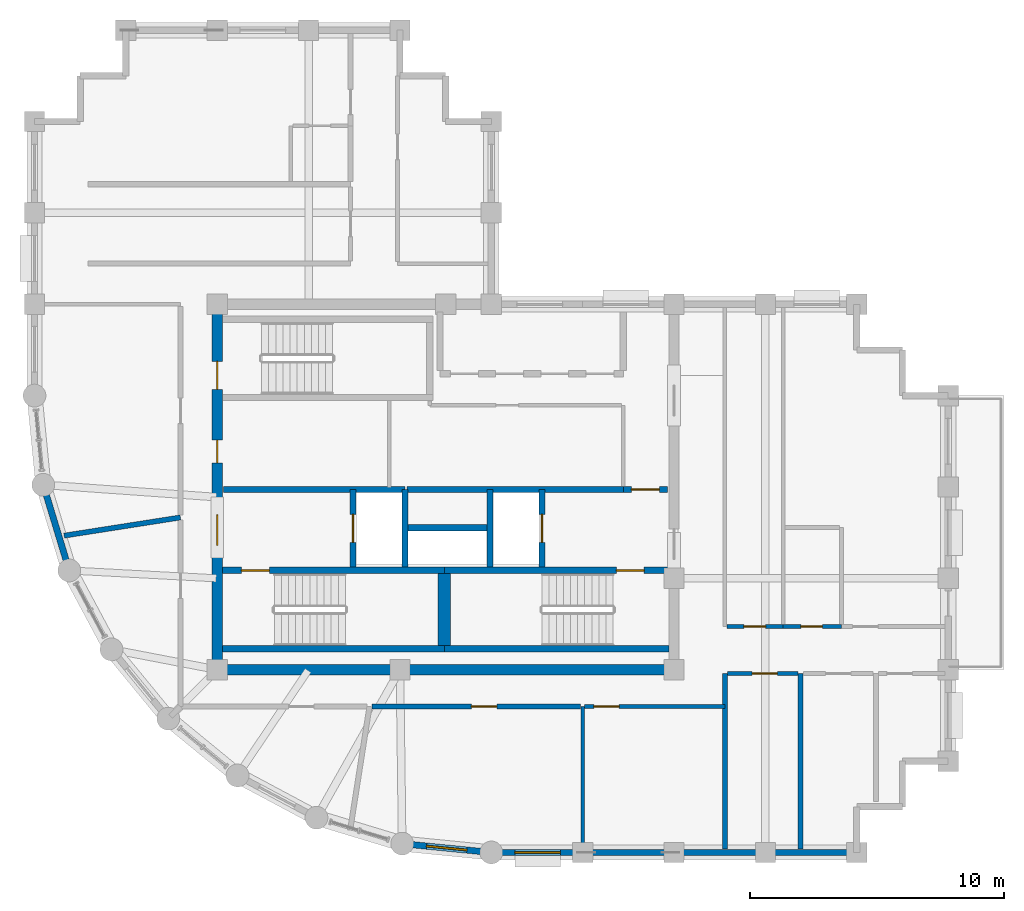
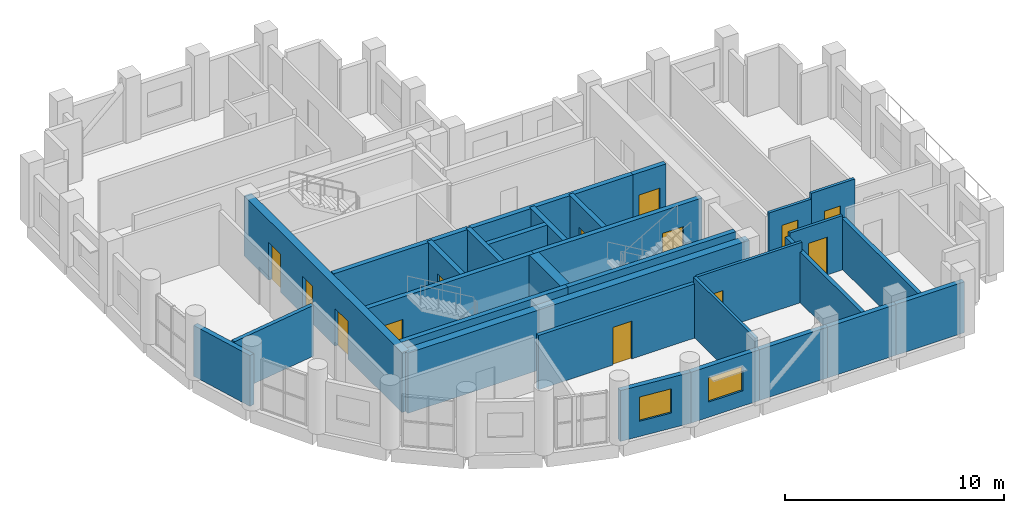
# One storey, part 7 of 12: 30 walls, 13 doors, 2 windows, 15 openings.
"""IFC4 building model written with IfcOpenShell, lengths in metres."""

from ifc_helpers import new_model, si_unit, direction, frame, frame_2d, origin, place, context, subcontext, project, spatial, rectangle, extrude, material, layer, layer_set, type_object, element, fill, save


model = new_model("IFC4")

# Units and contexts
model_context = context("Model", 3, precision=1e-05, world=origin(), true_north=direction((0.0, 1.0)))
body_context = subcontext(model_context, "Body", "Model", "MODEL_VIEW")
ifc_project = project(units=[si_unit("LENGTHUNIT", "METRE"), si_unit("AREAUNIT", "SQUARE_METRE"), si_unit("VOLUMEUNIT", "CUBIC_METRE"), si_unit("PLANEANGLEUNIT", "RADIAN"), si_unit("MASSUNIT", "GRAM", prefix="KILO")], contexts=[model_context])

# Site, building, storey
site_placement = place(None, origin())
site = spatial("IfcSite", under=ifc_project, at=site_placement, CompositionType="ELEMENT")
building_placement = place(site_placement, origin())
building = spatial("IfcBuilding", under=site, at=building_placement, Name="Solnavia Interchange Tower", CompositionType="ELEMENT")
storey_placement = place(building_placement, frame((0.0, 0.0, 228.199951171875)))
storey = spatial("IfcBuildingStorey", under=building, at=storey_placement, Name="L57", CompositionType="ELEMENT", Elevation=228.199951171875)

# Wall
ifc_material_1 = material(Name="Gypsum Acoustic Twin-Stud & Mineral Wool", Category="gypsum")
ifc_layer_1 = layer(ifc_material_1, 0.199951171875)
ifc_layer_set_1 = layer_set([ifc_layer_1], Name="Gypsum Acoustic Twin-Stud & Mineral Wool")
wall_type_1 = type_object("IfcWallType", Name="Wall-ApartmentParty-200", PredefinedType="PARTITIONING", material=ifc_layer_set_1)
wall_1_placement = place(storey_placement, frame((12.949951171875, 16.800048828125, 0.0), z_axis=(0.0, 0.0, 1.0), x_axis=(-0.9879733582, -0.154624200844, 0.0)))
element("IfcWall", 1, at=wall_1_placement, inside=storey, type_object=wall_type_1, Name="PTW-L57-09 Interior partition wall", PredefinedType="PARTITIONING", context=body_context, shape_type="SweptSolid", body=[
    extrude(rectangle(XDim=4.63720703125, YDim=0.199951171875, at=frame_2d((2.318603515625, 0.0))), origin(), (0.0, 0.0, 1.0), 2.830078125),
])

# Wall, opening, door
wall_2_placement = place(storey_placement, frame((20.50390625, 9.35009765625, 0.0), z_axis=(0.0, 0.0, 1.0), x_axis=(1.0, 0.0, 0.0)))
wall_2 = element("IfcWall", 2, at=wall_2_placement, inside=storey, type_object=wall_type_1, Name="PTW-L57-15 Interior partition wall", PredefinedType="PARTITIONING", context=body_context, shape_type="SweptSolid", body=[
    extrude(rectangle(XDim=8.217041015625, YDim=0.199951171875, at=frame_2d((4.1083984375, 0.0))), origin(), (0.0, 0.0, 1.0), 3.02001953125),
])
opening_1_placement = place(wall_2_placement, frame((3.9140625, 0.0, 0.0)))
opening_1 = element("IfcOpeningElement", 3, at=opening_1_placement, cuts=wall_2, Name="Opening DR-07", PredefinedType="OPENING", context=body_context, shape_type="SweptSolid", body=[
    extrude(rectangle(XDim=1.0, YDim=2.10009765625, at=frame_2d((0.5, 1.050048828125))), frame((0.0, 0.10986328125, 0.0), z_axis=(0.0, -1.0, 0.0), x_axis=(1.0, 0.0, 0.0)), (0.0, 0.0, 1.0), 0.219970703125),
])
ifc_material_2 = material(Name="Timber & Acoustic Glazed Office Door", Category="wood")
door_type_1 = type_object("IfcDoorType", Name="Door-Office-1000x2100", OperationType="SINGLE_SWING_RIGHT", PredefinedType="DOOR", material=ifc_material_2)
door_1_placement = place(opening_1_placement, origin())
door_1 = element("IfcDoor", 4, at=door_1_placement, inside=storey, type_object=door_type_1, Name="DR-L57-06 Interior room door", OperationType="SINGLE_SWING_RIGHT", OverallHeight=2.10009765625, OverallWidth=1.0, PredefinedType="DOOR", context=body_context, shape_type="SweptSolid", body=[
    extrude(rectangle(XDim=1.0, YDim=2.10009765625, at=frame_2d((0.5, 1.050048828125))), frame((0.0, 0.02490234375, 0.0), z_axis=(0.0, -1.0, 0.0), x_axis=(1.0, 0.0, 0.0)), (0.0, 0.0, 1.0), 0.050048828125),
])
fill(opening_1, door_1)

# Walls
for number, where, z_axis, x_axis, name in (
    (5, (34.39990234375, 3.72900390625, 0.0), (0.0, 0.0, 1.0), (0.0, 1.0, 0.0), "PTW-L57-17 Interior partition wall"),
    (6, (37.389892578125, 3.72900390625, 0.0), (0.0, 0.0, 1.0), (0.0, 1.0, 0.0), "PTW-L57-18 Interior partition wall"),
):
    element("IfcWall", number, at=place(storey_placement, frame(where, z_axis=z_axis, x_axis=x_axis)), inside=storey, type_object=wall_type_1, Name=name, PredefinedType="PARTITIONING", context=body_context, shape_type="SweptSolid", body=[
        extrude(rectangle(XDim=6.9208984375, YDim=0.199951171875, at=frame_2d((3.46044921875, 0.0))), origin(), (0.0, 0.0, 1.0), 2.830078125),
    ])

# Wall, opening, window
ifc_material_3 = material(Name="Concrete C40/50", Category="concrete")
ifc_layer_2 = layer(ifc_material_3, 0.25)
ifc_layer_set_2 = layer_set([ifc_layer_2], Name="Concrete C40/50")
wall_type_2 = type_object("IfcWallType", Name="Wall-ExtSpandrel-250", PredefinedType="STANDARD", material=ifc_layer_set_2)
wall_3_placement = place(storey_placement, frame((28.800048828125, 3.60009765625, 0.0), z_axis=(0.0, 0.0, 1.0), x_axis=(-1.0, 0.0, 0.0)))
wall_3 = element("IfcWall", 7, at=wall_3_placement, inside=storey, type_object=wall_type_2, Name="EXW-L57-01 Exterior precast spandrel wall", PredefinedType="STANDARD", context=body_context, shape_type="SweptSolid", body=[
    extrude(rectangle(XDim=3.60009765625, YDim=0.25, at=frame_2d((1.800048828125, 0.0))), origin(), (0.0, 0.0, 1.0), 2.830078125),
])
opening_2_placement = place(wall_3_placement, frame((0.875, 0.0, 0.85009765625)))
opening_2 = element("IfcOpeningElement", 8, at=opening_2_placement, cuts=wall_3, Name="Opening WIN-02", PredefinedType="OPENING", context=body_context, shape_type="SweptSolid", body=[
    extrude(rectangle(XDim=1.800048828125, YDim=1.35009765625, at=frame_2d((0.89990234375, 0.675048828125))), frame((0.0, 0.135009765625, 0.0), z_axis=(0.0, -1.0, 0.0), x_axis=(1.0, 0.0, 0.0)), (0.0, 0.0, 1.0), 0.27001953125),
])
ifc_material_4 = material(Name="Thermal-Break Aluminium & Low-E Glass", Category="aluminium")
window_type_1 = type_object("IfcWindowType", Name="Window-Ribbon-1800x1350", PartitioningType="SINGLE_PANEL", PredefinedType="WINDOW", material=ifc_material_4)
window_1_placement = place(opening_2_placement, origin())
window_1 = element("IfcWindow", 9, at=window_1_placement, inside=storey, type_object=window_type_1, Name="WIN-L57-01 Facade ribbon window", OverallHeight=1.35009765625, OverallWidth=1.800048828125, PartitioningType="SINGLE_PANEL", PredefinedType="WINDOW", context=body_context, shape_type="SweptSolid", body=[
    extrude(rectangle(XDim=1.800048828125, YDim=1.35009765625, at=frame_2d((0.89990234375, 0.675048828125))), frame((0.0, 0.030029296875, 0.0), z_axis=(0.0, -1.0, 0.0), x_axis=(1.0, 0.0, 0.0)), (0.0, 0.0, 1.0), 0.06005859375),
])
fill(opening_2, window_1)

# Walls
wall_4_placement = place(storey_placement, frame((32.39990234375, 3.60009765625, 0.0), z_axis=(0.0, 0.0, 1.0), x_axis=(-1.0, 0.0, 0.0)))
element("IfcWall", 10, at=wall_4_placement, inside=storey, type_object=wall_type_2, Name="EXW-L57-02 Exterior precast spandrel wall", PredefinedType="STANDARD", context=body_context, shape_type="SweptSolid", body=[
    extrude(rectangle(XDim=3.599853515625, YDim=0.25, at=frame_2d((1.7998046875, 0.0))), origin(), (0.0, 0.0, 1.0), 2.830078125),
])
for number, where, z_axis, x_axis, name in (
    (11, (36.0, 3.60009765625, 0.0), (0.0, 0.0, 1.0), (-1.0, 0.0, 0.0), "EXW-L57-03 Exterior precast spandrel wall"),
    (12, (39.60009765625, 3.60009765625, 0.0), (0.0, 0.0, 1.0), (-1.0, 0.0, 0.0), "EXW-L57-04 Exterior precast spandrel wall"),
):
    element("IfcWall", number, at=place(storey_placement, frame(where, z_axis=z_axis, x_axis=x_axis)), inside=storey, type_object=wall_type_2, Name=name, PredefinedType="STANDARD", context=body_context, shape_type="SweptSolid", body=[
        extrude(rectangle(XDim=3.60009765625, YDim=0.25, at=frame_2d((1.800048828125, 0.0))), origin(), (0.0, 0.0, 1.0), 2.830078125),
    ])
wall_5_placement = place(storey_placement, frame((8.570068359375, 14.7119140625, 0.0), z_axis=(0.0, 0.0, 1.0), x_axis=(-0.290305086481, 0.956934144423, 0.0)))
element("IfcWall", 13, at=wall_5_placement, inside=storey, type_object=wall_type_2, Name="EXW-L57-38 Exterior precast spandrel wall", PredefinedType="STANDARD", context=body_context, shape_type="SweptSolid", body=[
    extrude(rectangle(XDim=3.52783203125, YDim=0.25, at=frame_2d((1.763916015625, 0.0))), origin(), (0.0, 0.0, 1.0), 2.830078125),
])

# Wall, opening, window
wall_6_placement = place(storey_placement, frame((25.199951171875, 3.60009765625, 0.0), z_axis=(0.0, 0.0, 1.0), x_axis=(-0.995183369056, 0.098030923459, 0.0)))
wall_6 = element("IfcWall", 14, at=wall_6_placement, inside=storey, type_object=wall_type_2, Name="EXW-L57-44 Exterior precast spandrel wall", PredefinedType="STANDARD", context=body_context, shape_type="SweptSolid", body=[
    extrude(rectangle(XDim=3.529052734375, YDim=0.25, at=frame_2d((1.7646484375, 0.0))), origin(), (0.0, 0.0, 1.0), 2.830078125),
])
opening_3_placement = place(wall_6_placement, frame((0.965087890625, 0.0, 0.85009765625)))
opening_3 = element("IfcOpeningElement", 15, at=opening_3_placement, cuts=wall_6, Name="Opening WIN-04", PredefinedType="OPENING", context=body_context, shape_type="SweptSolid", body=[
    extrude(rectangle(XDim=1.60009765625, YDim=1.35009765625, at=frame_2d((0.800048828125, 0.675048828125))), frame((0.0, 0.135009765625, 0.0), z_axis=(0.0, -1.0, 0.0), x_axis=(1.0, 0.0, 0.0)), (0.0, 0.0, 1.0), 0.27001953125),
])
window_type_2 = type_object("IfcWindowType", Name="Window-Drum-1600x1350", PartitioningType="SINGLE_PANEL", PredefinedType="WINDOW", material=ifc_material_4)
window_2_placement = place(opening_3_placement, origin())
window_2 = element("IfcWindow", 16, at=window_2_placement, inside=storey, type_object=window_type_2, Name="WIN-L57-44 Facade ribbon window", OverallHeight=1.35009765625, OverallWidth=1.60009765625, PartitioningType="SINGLE_PANEL", PredefinedType="WINDOW", context=body_context, shape_type="SweptSolid", body=[
    extrude(rectangle(XDim=1.60009765625, YDim=1.35009765625, at=frame_2d((0.800048828125, 0.675048828125))), frame((0.0, 0.030029296875, 0.0), z_axis=(0.0, -1.0, 0.0), x_axis=(1.0, 0.0, 0.0)), (0.0, 0.0, 1.0), 0.06005859375),
])
fill(opening_3, window_2)

# Wall
ifc_material_5 = material(Name="Gypsum Plasterboard & Steel Stud", Category="steel")
ifc_layer_3 = layer(ifc_material_5, 0.14990234375)
ifc_layer_set_3 = layer_set([ifc_layer_3], Name="Gypsum Plasterboard & Steel Stud")
wall_type_3 = type_object("IfcWallType", Name="Wall-Partition-150", PredefinedType="PARTITIONING", material=ifc_layer_set_3)
wall_7_placement = place(storey_placement, frame((28.800048828125, 9.35009765625, 0.0), z_axis=(0.0, 0.0, 1.0), x_axis=(0.0, -1.0, 0.0)))
element("IfcWall", 17, at=wall_7_placement, inside=storey, type_object=wall_type_3, Name="PTW-L57-08 Interior partition wall", PredefinedType="PARTITIONING", context=body_context, shape_type="SweptSolid", body=[
    extrude(rectangle(XDim=5.62109375, YDim=0.14990234375, at=frame_2d((2.810546875, 0.0))), origin(), (0.0, 0.0, 1.0), 3.3349609375),
])

# Wall, opening, door
wall_8_placement = place(storey_placement, frame((28.87890625, 9.35009765625, 0.0), z_axis=(0.0, 0.0, 1.0), x_axis=(1.0, 0.0, 0.0)))
wall_8 = element("IfcWall", 18, at=wall_8_placement, inside=storey, type_object=wall_type_3, Name="PTW-L57-16 Interior partition wall", PredefinedType="PARTITIONING", context=body_context, shape_type="SweptSolid", body=[
    extrude(rectangle(XDim=5.52099609375, YDim=0.14990234375, at=frame_2d((2.760498046875, 0.0))), origin(), (0.0, 0.0, 1.0), 3.3349609375),
])
opening_4_placement = place(wall_8_placement, frame((0.360107421875, 0.0, 0.0)))
opening_4 = element("IfcOpeningElement", 19, at=opening_4_placement, cuts=wall_8, Name="Opening DR-07", PredefinedType="OPENING", context=body_context, shape_type="SweptSolid", body=[
    extrude(rectangle(XDim=1.0, YDim=2.10009765625, at=frame_2d((0.5, 1.050048828125))), frame((0.0, 0.0849609375, 0.0), z_axis=(0.0, -1.0, 0.0), x_axis=(1.0, 0.0, 0.0)), (0.0, 0.0, 1.0), 0.169921875),
])
door_2_placement = place(opening_4_placement, origin())
door_2 = element("IfcDoor", 20, at=door_2_placement, inside=storey, type_object=door_type_1, Name="DR-L57-07 Interior room door", OperationType="SINGLE_SWING_LEFT", OverallHeight=2.10009765625, OverallWidth=1.0, PredefinedType="DOOR", context=body_context, shape_type="SweptSolid", body=[
    extrude(rectangle(XDim=1.0, YDim=2.10009765625, at=frame_2d((0.5, 1.050048828125))), frame((0.0, 0.02490234375, 0.0), z_axis=(0.0, -1.0, 0.0), x_axis=(1.0, 0.0, 0.0)), (0.0, 0.0, 1.0), 0.050048828125),
])
fill(opening_4, door_2)

wall_9_placement = place(storey_placement, frame((34.50390625, 10.64990234375, 0.0), z_axis=(0.0, 0.0, 1.0), x_axis=(1.0, 0.0, 0.0)))
wall_9 = element("IfcWall", 21, at=wall_9_placement, inside=storey, type_object=wall_type_3, Name="PTW-L57-19 Interior partition wall", PredefinedType="PARTITIONING", context=body_context, shape_type="SweptSolid", body=[
    extrude(rectangle(XDim=2.781982421875, YDim=0.14990234375, at=frame_2d((1.39111328125, 0.0))), origin(), (0.0, 0.0, 1.0), 3.02001953125),
])
opening_5_placement = place(wall_9_placement, frame((0.969970703125, 0.0, 0.0)))
opening_5 = element("IfcOpeningElement", 22, at=opening_5_placement, cuts=wall_9, Name="Opening DR-07", PredefinedType="OPENING", context=body_context, shape_type="SweptSolid", body=[
    extrude(rectangle(XDim=1.0, YDim=2.10009765625, at=frame_2d((0.5, 1.050048828125))), frame((0.0, 0.0849609375, 0.0), z_axis=(0.0, -1.0, 0.0), x_axis=(1.0, 0.0, 0.0)), (0.0, 0.0, 1.0), 0.169921875),
])
door_3_placement = place(opening_5_placement, origin())
door_3 = element("IfcDoor", 23, at=door_3_placement, inside=storey, type_object=door_type_1, Name="DR-L57-08 Interior room door", OperationType="SINGLE_SWING_LEFT", OverallHeight=2.10009765625, OverallWidth=1.0, PredefinedType="DOOR", context=body_context, shape_type="SweptSolid", body=[
    extrude(rectangle(XDim=1.0, YDim=2.10009765625, at=frame_2d((0.5, 1.050048828125))), frame((0.0, 0.02490234375, 0.0), z_axis=(0.0, -1.0, 0.0), x_axis=(1.0, 0.0, 0.0)), (0.0, 0.0, 1.0), 0.050048828125),
])
fill(opening_5, door_3)

# Wall
ifc_layer_4 = layer(ifc_material_3, 0.25)
ifc_layer_set_4 = layer_set([ifc_layer_4], Name="Concrete C40/50")
wall_type_4 = type_object("IfcWallType", Name="Wall-ShaftCore-250", PredefinedType="SHEAR", material=ifc_layer_set_4)
wall_10_placement = place(storey_placement, frame((14.60009765625, 11.625, 0.0), z_axis=(0.0, 0.0, 1.0), x_axis=(1.0, 0.0, 0.0)))
element("IfcWall", 24, at=wall_10_placement, inside=storey, type_object=wall_type_4, Name="SHW-L57-ST1S Core shear wall", PredefinedType="SHEAR", context=body_context, shape_type="SweptSolid", body=[
    extrude(rectangle(XDim=8.75, YDim=0.25, at=frame_2d((4.375, 0.0))), origin(), (0.0, 0.0, 1.0), 3.35009765625),
])

# Wall, opening, door
wall_11_placement = place(storey_placement, frame((14.60009765625, 14.715087890625, 0.0), z_axis=(0.0, 0.0, 1.0), x_axis=(1.0, 0.0, 0.0)))
wall_11 = element("IfcWall", 25, at=wall_11_placement, inside=storey, type_object=wall_type_4, Name="SHW-L57-ST1N Core shear wall", PredefinedType="SHEAR", context=body_context, shape_type="SweptSolid", body=[
    extrude(rectangle(XDim=8.75, YDim=0.25, at=frame_2d((4.375, 0.0))), origin(), (0.0, 0.0, 1.0), 3.35009765625),
])
opening_6_placement = place(wall_11_placement, frame((0.7548828125, 0.0, 0.0)))
opening_6 = element("IfcOpeningElement", 26, at=opening_6_placement, cuts=wall_11, Name="Opening DR-01", PredefinedType="OPENING", context=body_context, shape_type="SweptSolid", body=[
    extrude(rectangle(XDim=1.10009765625, YDim=2.10009765625, at=frame_2d((0.550048828125, 1.050048828125))), frame((0.0, 0.135009765625, 0.0), z_axis=(0.0, -1.0, 0.0), x_axis=(1.0, 0.0, 0.0)), (0.0, 0.0, 1.0), 0.27001953125),
])
ifc_material_6 = material(Name="Steel Fire-Rated Leaf & Frame", Category="steel")
door_type_2 = type_object("IfcDoorType", Name="Door-StairFire-1100x2100", OperationType="SINGLE_SWING_LEFT", PredefinedType="DOOR", material=ifc_material_6)
door_4_placement = place(opening_6_placement, origin())
door_4 = element("IfcDoor", 27, at=door_4_placement, inside=storey, type_object=door_type_2, Name="DR-L57-ST1 Core fire door", OperationType="SINGLE_SWING_LEFT", OverallHeight=2.10009765625, OverallWidth=1.10009765625, PredefinedType="DOOR", context=body_context, shape_type="SweptSolid", body=[
    extrude(rectangle(XDim=1.10009765625, YDim=2.10009765625, at=frame_2d((0.550048828125, 1.050048828125))), frame((0.0, 0.02490234375, 0.0), z_axis=(0.0, -1.0, 0.0), x_axis=(1.0, 0.0, 0.0)), (0.0, 0.0, 1.0), 0.050048828125),
])
fill(opening_6, door_4)

# Wall
wall_12_placement = place(storey_placement, frame((23.35009765625, 11.625, 0.0), z_axis=(0.0, 0.0, 1.0), x_axis=(1.0, 0.0, 0.0)))
element("IfcWall", 28, at=wall_12_placement, inside=storey, type_object=wall_type_4, Name="SHW-L57-ST2S Core shear wall", PredefinedType="SHEAR", context=body_context, shape_type="SweptSolid", body=[
    extrude(rectangle(XDim=8.849853515625, YDim=0.25, at=frame_2d((4.4248046875, 0.0))), origin(), (0.0, 0.0, 1.0), 3.35009765625),
])

# Wall, opening, door
wall_13_placement = place(storey_placement, frame((23.35009765625, 14.715087890625, 0.0), z_axis=(0.0, 0.0, 1.0), x_axis=(1.0, 0.0, 0.0)))
wall_13 = element("IfcWall", 29, at=wall_13_placement, inside=storey, type_object=wall_type_4, Name="SHW-L57-ST2N Core shear wall", PredefinedType="SHEAR", context=body_context, shape_type="SweptSolid", body=[
    extrude(rectangle(XDim=8.849853515625, YDim=0.25, at=frame_2d((4.4248046875, 0.0))), origin(), (0.0, 0.0, 1.0), 3.35009765625),
])
opening_7_placement = place(wall_13_placement, frame((6.77490234375, 0.0, 0.0)))
opening_7 = element("IfcOpeningElement", 30, at=opening_7_placement, cuts=wall_13, Name="Opening DR-01", PredefinedType="OPENING", context=body_context, shape_type="SweptSolid", body=[
    extrude(rectangle(XDim=1.10009765625, YDim=2.10009765625, at=frame_2d((0.550048828125, 1.050048828125))), frame((0.0, 0.135009765625, 0.0), z_axis=(0.0, -1.0, 0.0), x_axis=(1.0, 0.0, 0.0)), (0.0, 0.0, 1.0), 0.27001953125),
])
door_5_placement = place(opening_7_placement, origin())
door_5 = element("IfcDoor", 31, at=door_5_placement, inside=storey, type_object=door_type_2, Name="DR-L57-ST2 Core fire door", OperationType="SINGLE_SWING_LEFT", OverallHeight=2.10009765625, OverallWidth=1.10009765625, PredefinedType="DOOR", context=body_context, shape_type="SweptSolid", body=[
    extrude(rectangle(XDim=1.10009765625, YDim=2.10009765625, at=frame_2d((0.550048828125, 1.050048828125))), frame((0.0, 0.02490234375, 0.0), z_axis=(0.0, -1.0, 0.0), x_axis=(1.0, 0.0, 0.0)), (0.0, 0.0, 1.0), 0.050048828125),
])
fill(opening_7, door_5)

# Wall
ifc_layer_5 = layer(ifc_material_3, 0.25)
ifc_layer_set_5 = layer_set([ifc_layer_5], Name="Concrete C40/50")
wall_type_5 = type_object("IfcWallType", Name="Wall-ShaftPart-250", PredefinedType="PARTITIONING", material=ifc_layer_set_5)
wall_14_placement = place(storey_placement, frame((14.64990234375, 17.89990234375, 0.0), z_axis=(0.0, 0.0, 1.0), x_axis=(1.0, 0.0, 0.0)))
element("IfcWall", 32, at=wall_14_placement, inside=storey, type_object=wall_type_5, Name="SHW-L57-FFLW-N Core shaft wall", PredefinedType="PARTITIONING", context=body_context, shape_type="SweptSolid", body=[
    extrude(rectangle(XDim=7.150146484375, YDim=0.25, at=frame_2d((3.5751953125, 0.0))), origin(), (0.0, 0.0, 1.0), 3.3349609375),
])

# Wall, opening, door
wall_15_placement = place(storey_placement, frame((19.75, 14.840087890625, 0.0), z_axis=(0.0, 0.0, 1.0), x_axis=(0.0, 1.0, 0.0)))
wall_15 = element("IfcWall", 33, at=wall_15_placement, inside=storey, type_object=wall_type_5, Name="SHW-L57-FFL1-W Core shaft wall", PredefinedType="PARTITIONING", context=body_context, shape_type="SweptSolid", body=[
    extrude(rectangle(XDim=3.059814453125, YDim=0.25, at=frame_2d((1.52978515625, 0.0))), origin(), (0.0, 0.0, 1.0), 3.3349609375),
])
opening_8_placement = place(wall_15_placement, frame((0.97998046875, 0.0, 0.0)))
opening_8 = element("IfcOpeningElement", 34, at=opening_8_placement, cuts=wall_15, Name="Opening LD-01", PredefinedType="OPENING", context=body_context, shape_type="SweptSolid", body=[
    extrude(rectangle(XDim=1.10009765625, YDim=2.10009765625, at=frame_2d((0.550048828125, 1.050048828125))), frame((0.0, 0.135009765625, 0.0), z_axis=(0.0, -1.0, 0.0), x_axis=(1.0, 0.0, 0.0)), (0.0, 0.0, 1.0), 0.27001953125),
])
ifc_material_7 = material(Name="Brushed Stainless Steel Sliding Door", Category="steel")
door_type_3 = type_object("IfcDoorType", Name="Door-LiftLanding-1100x2100", OperationType="SLIDING_TO_LEFT", PredefinedType="DOOR", material=ifc_material_7)
door_6_placement = place(opening_8_placement, origin())
door_6 = element("IfcDoor", 35, at=door_6_placement, inside=storey, type_object=door_type_3, Name="LD-L57-FFL1 Lift landing sliding door", OperationType="SLIDING_TO_LEFT", OverallHeight=2.10009765625, OverallWidth=1.10009765625, PredefinedType="DOOR", context=body_context, shape_type="SweptSolid", body=[
    extrude(rectangle(XDim=1.10009765625, YDim=2.10009765625, at=frame_2d((0.550048828125, 1.050048828125))), frame((0.0, 0.02490234375, 0.0), z_axis=(0.0, -1.0, 0.0), x_axis=(1.0, 0.0, 0.0)), (0.0, 0.0, 1.0), 0.050048828125),
])
fill(opening_8, door_6)

# Walls
wall_16_placement = place(storey_placement, frame((21.800048828125, 14.840087890625, 0.0), z_axis=(0.0, 0.0, 1.0), x_axis=(0.0, 1.0, 0.0)))
element("IfcWall", 36, at=wall_16_placement, inside=storey, type_object=wall_type_5, Name="SHW-L57-FFL1-E Core shaft wall", PredefinedType="PARTITIONING", context=body_context, shape_type="SweptSolid", body=[
    extrude(rectangle(XDim=3.059814453125, YDim=0.25, at=frame_2d((1.52978515625, 0.0))), origin(), (0.0, 0.0, 1.0), 3.3349609375),
])
wall_17_placement = place(storey_placement, frame((21.8798828125, 17.89990234375, 0.0), z_axis=(0.0, 0.0, 1.0), x_axis=(1.0, 0.0, 0.0)))
element("IfcWall", 37, at=wall_17_placement, inside=storey, type_object=wall_type_5, Name="SHW-L57-FFLE-N1 Core shaft wall", PredefinedType="PARTITIONING", context=body_context, shape_type="SweptSolid", body=[
    extrude(rectangle(XDim=8.52001953125, YDim=0.25, at=frame_2d((4.260009765625, 0.0))), origin(), (0.0, 0.0, 1.0), 3.3349609375),
])

# Wall, opening, door
wall_18_placement = place(storey_placement, frame((30.39990234375, 17.89990234375, 0.0), z_axis=(0.0, 0.0, 1.0), x_axis=(1.0, 0.0, 0.0)))
wall_18 = element("IfcWall", 38, at=wall_18_placement, inside=storey, type_object=wall_type_5, Name="SHW-L57-FFLE-N2 Core shaft wall", PredefinedType="PARTITIONING", context=body_context, shape_type="SweptSolid", body=[
    extrude(rectangle(XDim=1.75, YDim=0.25, at=frame_2d((0.875, 0.0))), origin(), (0.0, 0.0, 1.0), 3.3349609375),
])
opening_9_placement = place(wall_18_placement, frame((0.320068359375, 0.0, 0.0)))
opening_9 = element("IfcOpeningElement", 39, at=opening_9_placement, cuts=wall_18, Name="Opening DR-01", PredefinedType="OPENING", context=body_context, shape_type="SweptSolid", body=[
    extrude(rectangle(XDim=1.10009765625, YDim=2.10009765625, at=frame_2d((0.550048828125, 1.050048828125))), frame((0.0, 0.135009765625, 0.0), z_axis=(0.0, -1.0, 0.0), x_axis=(1.0, 0.0, 0.0)), (0.0, 0.0, 1.0), 0.27001953125),
])
door_7_placement = place(opening_9_placement, origin())
door_7 = element("IfcDoor", 40, at=door_7_placement, inside=storey, type_object=door_type_2, Name="DR-L57-LLC Core fire door", OperationType="SINGLE_SWING_LEFT", OverallHeight=2.10009765625, OverallWidth=1.10009765625, PredefinedType="DOOR", context=body_context, shape_type="SweptSolid", body=[
    extrude(rectangle(XDim=1.10009765625, YDim=2.10009765625, at=frame_2d((0.550048828125, 1.050048828125))), frame((0.0, 0.02490234375, 0.0), z_axis=(0.0, -1.0, 0.0), x_axis=(1.0, 0.0, 0.0)), (0.0, 0.0, 1.0), 0.050048828125),
])
fill(opening_9, door_7)

# Wall
wall_19_placement = place(storey_placement, frame((25.14990234375, 14.840087890625, 0.0), z_axis=(0.0, 0.0, 1.0), x_axis=(0.0, 1.0, 0.0)))
element("IfcWall", 41, at=wall_19_placement, inside=storey, type_object=wall_type_5, Name="SHW-L57-FFL2-W Core shaft wall", PredefinedType="PARTITIONING", context=body_context, shape_type="SweptSolid", body=[
    extrude(rectangle(XDim=3.059814453125, YDim=0.25, at=frame_2d((1.52978515625, 0.0))), origin(), (0.0, 0.0, 1.0), 3.3349609375),
])

# Wall, opening, door
wall_20_placement = place(storey_placement, frame((27.199951171875, 14.840087890625, 0.0), z_axis=(0.0, 0.0, 1.0), x_axis=(0.0, 1.0, 0.0)))
wall_20 = element("IfcWall", 42, at=wall_20_placement, inside=storey, type_object=wall_type_5, Name="SHW-L57-FFL2-E Core shaft wall", PredefinedType="PARTITIONING", context=body_context, shape_type="SweptSolid", body=[
    extrude(rectangle(XDim=3.059814453125, YDim=0.25, at=frame_2d((1.52978515625, 0.0))), origin(), (0.0, 0.0, 1.0), 3.3349609375),
])
opening_10_placement = place(wall_20_placement, frame((0.97998046875, 0.0, 0.0)))
opening_10 = element("IfcOpeningElement", 43, at=opening_10_placement, cuts=wall_20, Name="Opening LD-01", PredefinedType="OPENING", context=body_context, shape_type="SweptSolid", body=[
    extrude(rectangle(XDim=1.10009765625, YDim=2.10009765625, at=frame_2d((0.550048828125, 1.050048828125))), frame((0.0, 0.135009765625, 0.0), z_axis=(0.0, -1.0, 0.0), x_axis=(1.0, 0.0, 0.0)), (0.0, 0.0, 1.0), 0.27001953125),
])
door_8_placement = place(opening_10_placement, origin())
door_8 = element("IfcDoor", 44, at=door_8_placement, inside=storey, type_object=door_type_3, Name="LD-L57-FFL2 Lift landing sliding door", OperationType="SLIDING_TO_LEFT", OverallHeight=2.10009765625, OverallWidth=1.10009765625, PredefinedType="DOOR", context=body_context, shape_type="SweptSolid", body=[
    extrude(rectangle(XDim=1.10009765625, YDim=2.10009765625, at=frame_2d((0.550048828125, 1.050048828125))), frame((0.0, 0.02490234375, 0.0), z_axis=(0.0, -1.0, 0.0), x_axis=(1.0, 0.0, 0.0)), (0.0, 0.0, 1.0), 0.050048828125),
])
fill(opening_10, door_8)

# Walls
wall_21_placement = place(storey_placement, frame((21.800048828125, 16.39990234375, 0.0), z_axis=(0.0, 0.0, 1.0), x_axis=(1.0, 0.0, 0.0)))
element("IfcWall", 45, at=wall_21_placement, inside=storey, type_object=wall_type_5, Name="SHW-L57-MEP-N Core shaft wall", PredefinedType="PARTITIONING", context=body_context, shape_type="SweptSolid", body=[
    extrude(rectangle(XDim=3.349853515625, YDim=0.25, at=frame_2d((1.6748046875, 0.0))), origin(), (0.0, 0.0, 1.0), 3.3349609375),
])
ifc_material_8 = material(Name="Concrete C50/60", Category="concrete")
ifc_layer_6 = layer(ifc_material_8, 0.39990234375)
ifc_layer_set_6 = layer_set([ifc_layer_6], Name="Concrete C50/60")
wall_type_6 = type_object("IfcWallType", Name="Wall-ShearCore-400", PredefinedType="SHEAR", material=ifc_layer_set_6)
wall_22_placement = place(storey_placement, frame((14.39990234375, 10.800048828125, 0.0), z_axis=(0.0, 0.0, 1.0), x_axis=(1.0, 0.0, 0.0)))
element("IfcWall", 46, at=wall_22_placement, inside=storey, type_object=wall_type_6, Name="CRW-L57-S Core shear wall", PredefinedType="SHEAR", context=body_context, shape_type="SweptSolid", body=[
    extrude(rectangle(XDim=18.0, YDim=0.39990234375, at=frame_2d((9.0, 0.0))), origin(), (0.0, 0.0, 1.0), 3.35009765625),
])

# Wall, openings, doors
wall_23_placement = place(storey_placement, frame((14.39990234375, 10.800048828125, 0.0), z_axis=(0.0, 0.0, 1.0), x_axis=(0.0, 1.0, 0.0)))
wall_23 = element("IfcWall", 47, at=wall_23_placement, inside=storey, type_object=wall_type_6, Name="CRW-L57-W Core shear wall", PredefinedType="SHEAR", context=body_context, shape_type="SweptSolid", body=[
    extrude(rectangle(XDim=14.39990234375, YDim=0.39990234375, at=frame_2d((7.199951171875, 0.0))), origin(), (0.0, 0.0, 1.0), 3.35009765625),
])
opening_11_placement = place(wall_23_placement, frame((11.050048828125, 0.0, 0.0)))
opening_11 = element("IfcOpeningElement", 48, at=opening_11_placement, cuts=wall_23, Name="Opening DR-01", PredefinedType="OPENING", context=body_context, shape_type="SweptSolid", body=[
    extrude(rectangle(XDim=1.10009765625, YDim=2.10009765625, at=frame_2d((0.550048828125, 1.050048828125))), frame((0.0, 0.2099609375, 0.0), z_axis=(0.0, -1.0, 0.0), x_axis=(1.0, 0.0, 0.0)), (0.0, 0.0, 1.0), 0.419921875),
])
opening_12_placement = place(wall_23_placement, frame((4.89990234375, 0.0, 0.0)))
opening_12 = element("IfcOpeningElement", 49, at=opening_12_placement, cuts=wall_23, Name="Opening DR-02", PredefinedType="OPENING", context=body_context, shape_type="SweptSolid", body=[
    extrude(rectangle(XDim=1.199951171875, YDim=2.10009765625, at=frame_2d((0.60009765625, 1.050048828125))), frame((0.0, 0.2099609375, 0.0), z_axis=(0.0, -1.0, 0.0), x_axis=(1.0, 0.0, 0.0)), (0.0, 0.0, 1.0), 0.419921875),
])
opening_13_placement = place(wall_23_placement, frame((8.14990234375, 0.0, 0.0)))
opening_13 = element("IfcOpeningElement", 50, at=opening_13_placement, cuts=wall_23, Name="Opening DR-09", PredefinedType="OPENING", context=body_context, shape_type="SweptSolid", body=[
    extrude(rectangle(XDim=0.89990234375, YDim=2.10009765625, at=frame_2d((0.449951171875, 1.050048828125))), frame((0.0, 0.2099609375, 0.0), z_axis=(0.0, -1.0, 0.0), x_axis=(1.0, 0.0, 0.0)), (0.0, 0.0, 1.0), 0.419921875),
])
ifc_material_9 = material(Name="Engineered Oak Veneer Door", Category="wood")
door_type_4 = type_object("IfcDoorType", Name="Door-Internal-900x2100", OperationType="SINGLE_SWING_LEFT", PredefinedType="DOOR", material=ifc_material_9)
door_9_placement = place(opening_13_placement, origin())
door_9 = element("IfcDoor", 51, at=door_9_placement, inside=storey, type_object=door_type_4, Name="DR-L57-CS1 Core fire door", OperationType="SINGLE_SWING_RIGHT", OverallHeight=2.10009765625, OverallWidth=0.89990234375, PredefinedType="DOOR", context=body_context, shape_type="SweptSolid", body=[
    extrude(rectangle(XDim=0.89990234375, YDim=2.10009765625, at=frame_2d((0.449951171875, 1.050048828125))), frame((0.0, 0.02490234375, 0.0), z_axis=(0.0, -1.0, 0.0), x_axis=(1.0, 0.0, 0.0)), (0.0, 0.0, 1.0), 0.050048828125),
])
fill(opening_13, door_9)
ifc_material_10 = material(Name="Steel Fire-Rated Vision-Panel Door", Category="steel")
door_type_5 = type_object("IfcDoorType", Name="Door-LobbyFire-1200x2100", OperationType="SINGLE_SWING_RIGHT", PredefinedType="DOOR", material=ifc_material_10)
door_10_placement = place(opening_12_placement, origin())
door_10 = element("IfcDoor", 52, at=door_10_placement, inside=storey, type_object=door_type_5, Name="DR-L57-FFL1W Core fire door", OperationType="SINGLE_SWING_RIGHT", OverallHeight=2.10009765625, OverallWidth=1.199951171875, PredefinedType="DOOR", context=body_context, shape_type="SweptSolid", body=[
    extrude(rectangle(XDim=1.199951171875, YDim=2.10009765625, at=frame_2d((0.60009765625, 1.050048828125))), frame((0.0, 0.02490234375, 0.0), z_axis=(0.0, -1.0, 0.0), x_axis=(1.0, 0.0, 0.0)), (0.0, 0.0, 1.0), 0.050048828125),
])
fill(opening_12, door_10)
door_11_placement = place(opening_11_placement, origin())
door_11 = element("IfcDoor", 53, at=door_11_placement, inside=storey, type_object=door_type_2, Name="DR-L57-ST3 Core fire door", OperationType="SINGLE_SWING_RIGHT", OverallHeight=2.10009765625, OverallWidth=1.10009765625, PredefinedType="DOOR", context=body_context, shape_type="SweptSolid", body=[
    extrude(rectangle(XDim=1.10009765625, YDim=2.10009765625, at=frame_2d((0.550048828125, 1.050048828125))), frame((0.0, 0.02490234375, 0.0), z_axis=(0.0, -1.0, 0.0), x_axis=(1.0, 0.0, 0.0)), (0.0, 0.0, 1.0), 0.050048828125),
])
fill(opening_11, door_11)

# Wall
ifc_material_11 = material(Name="Concrete C60/75", Category="concrete")
ifc_layer_7 = layer(ifc_material_11, 0.5)
ifc_layer_set_7 = layer_set([ifc_layer_7], Name="Concrete C60/75")
wall_type_7 = type_object("IfcWallType", Name="Wall-ShearCore-500", PredefinedType="SHEAR", material=ifc_layer_set_7)
wall_24_placement = place(storey_placement, frame((23.35009765625, 11.75, 0.0), z_axis=(0.0, 0.0, 1.0), x_axis=(0.0, 1.0, 0.0)))
element("IfcWall", 54, at=wall_24_placement, inside=storey, type_object=wall_type_7, Name="SHW-L57-ST12M Core shear wall", PredefinedType="SHEAR", context=body_context, shape_type="SweptSolid", body=[
    extrude(rectangle(XDim=2.840087890625, YDim=0.5, at=frame_2d((1.419921875, 0.0))), origin(), (0.0, 0.0, 1.0), 3.35009765625),
])

# Wall, opening, door
ifc_material_12 = material(Name="Moisture-Resistant Gypsum & Steel Stud", Category="steel")
ifc_layer_8 = layer(ifc_material_12, 0.14990234375)
ifc_layer_set_8 = layer_set([ifc_layer_8], Name="Moisture-Resistant Gypsum & Steel Stud")
wall_type_8 = type_object("IfcWallType", Name="Wall-WetRoom-150", PredefinedType="PARTITIONING", material=ifc_layer_set_8)
wall_25_placement = place(storey_placement, frame((34.47900390625, 12.5, 0.0), z_axis=(0.0, 0.0, 1.0), x_axis=(1.0, 0.0, 0.0)))
wall_25 = element("IfcWall", 55, at=wall_25_placement, inside=storey, type_object=wall_type_8, Name="PTW-L57-02 Interior partition wall", PredefinedType="PARTITIONING", context=body_context, shape_type="SweptSolid", body=[
    extrude(rectangle(XDim=2.220947265625, YDim=0.14990234375, at=frame_2d((1.1103515625, 0.0))), origin(), (0.0, 0.0, 1.0), 3.02001953125),
])
opening_14_placement = place(wall_25_placement, frame((0.674072265625, 0.0, 0.0)))
opening_14 = element("IfcOpeningElement", 56, at=opening_14_placement, cuts=wall_25, Name="Opening DR-10", PredefinedType="OPENING", context=body_context, shape_type="SweptSolid", body=[
    extrude(rectangle(XDim=0.85009765625, YDim=2.10009765625, at=frame_2d((0.425048828125, 1.050048828125))), frame((0.0, 0.0849609375, 0.0), z_axis=(0.0, -1.0, 0.0), x_axis=(1.0, 0.0, 0.0)), (0.0, 0.0, 1.0), 0.169921875),
])
ifc_material_13 = material(Name="Moisture-Resistant Timber Door", Category="wood")
door_type_6 = type_object("IfcDoorType", Name="Door-Bathroom-850x2100", OperationType="SINGLE_SWING_RIGHT", PredefinedType="DOOR", material=ifc_material_13)
door_12_placement = place(opening_14_placement, origin())
door_12 = element("IfcDoor", 57, at=door_12_placement, inside=storey, type_object=door_type_6, Name="DR-L57-01 Interior room door", OperationType="SINGLE_SWING_LEFT", OverallHeight=2.10009765625, OverallWidth=0.85009765625, PredefinedType="DOOR", context=body_context, shape_type="SweptSolid", body=[
    extrude(rectangle(XDim=0.85009765625, YDim=2.10009765625, at=frame_2d((0.425048828125, 1.050048828125))), frame((0.0, 0.02490234375, 0.0), z_axis=(0.0, -1.0, 0.0), x_axis=(1.0, 0.0, 0.0)), (0.0, 0.0, 1.0), 0.050048828125),
])
fill(opening_14, door_12)

wall_26_placement = place(storey_placement, frame((36.699951171875, 12.5, 0.0), z_axis=(0.0, 0.0, 1.0), x_axis=(1.0, 0.0, 0.0)))
wall_26 = element("IfcWall", 58, at=wall_26_placement, inside=storey, type_object=wall_type_8, Name="PTW-L57-04 Interior partition wall", PredefinedType="PARTITIONING", context=body_context, shape_type="SweptSolid", body=[
    extrude(rectangle(XDim=2.300048828125, YDim=0.14990234375, at=frame_2d((1.14990234375, 0.0))), origin(), (0.0, 0.0, 1.0), 3.3349609375),
])
opening_15_placement = place(wall_26_placement, frame((0.697021484375, 0.0, 0.0)))
opening_15 = element("IfcOpeningElement", 59, at=opening_15_placement, cuts=wall_26, Name="Opening DR-10", PredefinedType="OPENING", context=body_context, shape_type="SweptSolid", body=[
    extrude(rectangle(XDim=0.85009765625, YDim=2.10009765625, at=frame_2d((0.425048828125, 1.050048828125))), frame((0.0, 0.0849609375, 0.0), z_axis=(0.0, -1.0, 0.0), x_axis=(1.0, 0.0, 0.0)), (0.0, 0.0, 1.0), 0.169921875),
])
door_13_placement = place(opening_15_placement, origin())
door_13 = element("IfcDoor", 60, at=door_13_placement, inside=storey, type_object=door_type_6, Name="DR-L57-02 Interior room door", OperationType="SINGLE_SWING_RIGHT", OverallHeight=2.10009765625, OverallWidth=0.85009765625, PredefinedType="DOOR", context=body_context, shape_type="SweptSolid", body=[
    extrude(rectangle(XDim=0.85009765625, YDim=2.10009765625, at=frame_2d((0.425048828125, 1.050048828125))), frame((0.0, 0.02490234375, 0.0), z_axis=(0.0, -1.0, 0.0), x_axis=(1.0, 0.0, 0.0)), (0.0, 0.0, 1.0), 0.050048828125),
])
fill(opening_15, door_13)

save(model, "model.ifc")
